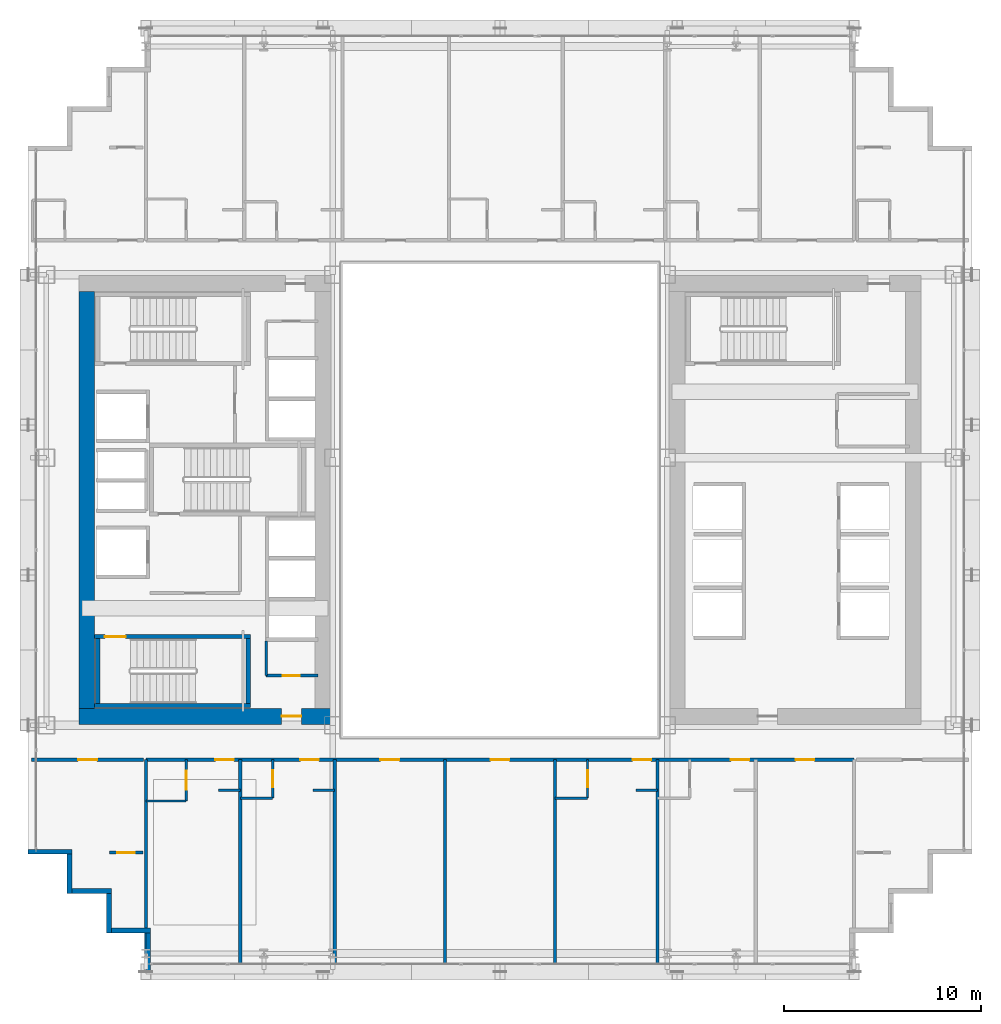
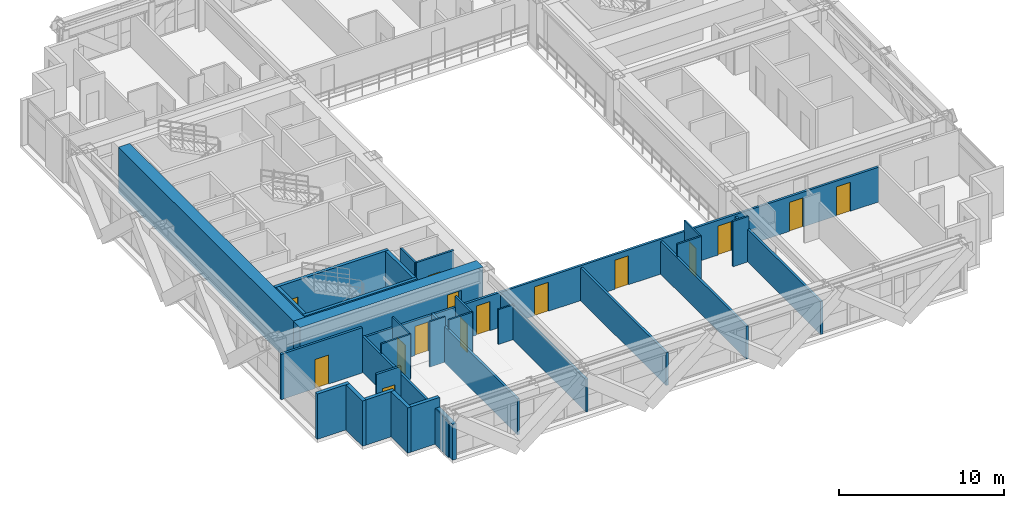
# One storey, part 30 of 38: 32 walls, 15 doors, 15 openings.
"""IFC4 building model written with IfcOpenShell, lengths in metres."""

from ifc_helpers import new_model, si_unit, direction, frame, frame_2d, origin, place, context, subcontext, project, spatial, rectangle, extrude, source, transform, mapped, material, layer, layer_set, type_object, element, fill, save


model = new_model("IFC4")

# Units and contexts
model_context = context("Model", 3, precision=1e-05, world=origin(), true_north=direction((0.0, 1.0)))
body_context = subcontext(model_context, "Body", "Model", "MODEL_VIEW")
ifc_project = project(units=[si_unit("LENGTHUNIT", "METRE"), si_unit("AREAUNIT", "SQUARE_METRE"), si_unit("VOLUMEUNIT", "CUBIC_METRE"), si_unit("PLANEANGLEUNIT", "RADIAN"), si_unit("MASSUNIT", "GRAM", prefix="KILO")], contexts=[model_context])

# Site, building, storey
site_placement = place(None, origin())
site = spatial("IfcSite", under=ifc_project, at=site_placement, CompositionType="ELEMENT")
building_placement = place(site_placement, origin())
building = spatial("IfcBuilding", under=site, at=building_placement, Name="Ocotamira Hotel", CompositionType="ELEMENT")
storey_placement = place(building_placement, frame((0.0, 0.0, 74.39990234375)))
storey = spatial("IfcBuildingStorey", under=building, at=storey_placement, Name="L18", CompositionType="ELEMENT", Elevation=74.39990234375)

# Wall, opening, door
ifc_material_1 = material(Name="Concrete C60/75", Category="concrete")
ifc_layer_1 = layer(ifc_material_1, 0.800048828125)
ifc_layer_set_1 = layer_set([ifc_layer_1], Name="Concrete C60/75")
wall_type_1 = type_object("IfcWallType", Name="WL-CORE-800", PredefinedType="SHEAR", material=ifc_layer_set_1)
wall_1_placement = place(storey_placement, frame((10.60009765625, 15.0, 0.0), z_axis=(0.0, 0.0, 1.0), x_axis=(1.0, 0.0, 0.0)))
wall_1 = element("IfcWall", 1, at=wall_1_placement, inside=storey, type_object=wall_type_1, Name="L18 Shear Core Wall WCORE-S", PredefinedType="SHEAR", context=body_context, shape_type="SweptSolid", body=[
    extrude(rectangle(XDim=12.7998046875, YDim=0.800048828125, at=frame_2d((6.39990234375, 0.0))), origin(), (0.0, 0.0, 1.0), 3.35009765625),
])
opening_1_placement = place(wall_1_placement, frame((10.300048828125, 0.0, 0.0)))
opening_1 = element("IfcOpeningElement", 2, at=opening_1_placement, cuts=wall_1, Name="Opening D-FR2", PredefinedType="OPENING", context=body_context, shape_type="SweptSolid", body=[
    extrude(rectangle(XDim=1.0, YDim=2.14990234375, at=frame_2d((0.5, 1.074951171875))), frame((0.0, 0.41015625, 0.0), z_axis=(0.0, -1.0, 0.0), x_axis=(1.0, 0.0, 0.0)), (0.0, 0.0, 1.0), 0.820068359375),
])
ifc_material_2 = material(Name="Fire-rated acoustic timber-veneer door", Category="wood")
door_type_1 = type_object("IfcDoorType", Name="DR-FIRE-1000", OperationType="NOTDEFINED", PredefinedType="DOOR", material=ifc_material_2)
shared_shape_1 = source(origin(), body_context, "Body", "SweptSolid", [
    extrude(rectangle(XDim=1.0, YDim=2.14990234375, at=frame_2d((0.5, 1.074951171875))), frame((0.0, 0.02490234375, 0.0), z_axis=(0.0, -1.0, 0.0), x_axis=(1.0, 0.0, 0.0)), (0.0, 0.0, 1.0), 0.050048828125),
])
door_1_placement = place(opening_1_placement, origin())
door_1 = element("IfcDoor", 3, at=door_1_placement, inside=storey, type_object=door_type_1, Name="L18 Door ID-L18-WLOB-S-D [ID-L18-WLOB-S-D]", OperationType="SINGLE_SWING_LEFT", OverallHeight=2.14990234375, OverallWidth=1.0, PredefinedType="DOOR", context=body_context, shape_type="MappedRepresentation", body=[
    mapped(shared_shape_1, transform((0.0, 0.0, 0.0), scale=1.0)),
])
fill(opening_1, door_1)

# Walls
wall_2_placement = place(storey_placement, frame((11.0, 15.39990234375, 0.0), z_axis=(0.0, 0.0, 1.0), x_axis=(0.0, 1.0, 0.0)))
element("IfcWall", 4, at=wall_2_placement, inside=storey, type_object=wall_type_1, Name="L18 Shear Core Wall WCORE-W", PredefinedType="SHEAR", context=body_context, shape_type="SweptSolid", body=[
    extrude(rectangle(XDim=21.2001953125, YDim=0.800048828125, at=frame_2d((10.60009765625, 0.0))), origin(), (0.0, 0.0, 1.0), 3.35009765625),
])
ifc_material_3 = material(Name="Precast concrete C45/55", Category="concrete")
ifc_layer_2 = layer(ifc_material_3, 0.25)
ifc_layer_set_2 = layer_set([ifc_layer_2], Name="Precast concrete C45/55")
wall_type_2 = type_object("IfcWallType", Name="WL-EXT-SER-250", PredefinedType="SOLIDWALL", material=ifc_layer_set_2)
wall_3_placement = place(storey_placement, frame((8.0, 8.125, 0.0), z_axis=(0.0, 0.0, 1.0), x_axis=(1.0, 0.0, 0.0)))
element("IfcWall", 5, at=wall_3_placement, inside=storey, type_object=wall_type_2, Name="L18 Serrated Corner Wall 19", PredefinedType="SOLIDWALL", context=body_context, shape_type="SweptSolid", body=[
    extrude(rectangle(XDim=2.25, YDim=0.25, at=frame_2d((1.125, 0.0))), origin(), (0.0, 0.0, 1.0), 3.35009765625),
])
for number, where, z_axis, x_axis, name in (
    (6, (10.125, 8.0, 0.0), (0.0, 0.0, 1.0), (0.0, -1.0, 0.0), "L18 Serrated Corner Wall 20"),
    (7, (10.25, 6.125, 0.0), (0.0, 0.0, 1.0), (1.0, 0.0, 0.0), "L18 Serrated Corner Wall 21"),
    (8, (12.125, 6.0, 0.0), (0.0, 0.0, 1.0), (0.0, -1.0, 0.0), "L18 Serrated Corner Wall 22"),
    (9, (12.25, 4.125, 0.0), (0.0, 0.0, 1.0), (1.0, 0.0, 0.0), "L18 Serrated Corner Wall 23"),
):
    element("IfcWall", number, at=place(storey_placement, frame(where, z_axis=z_axis, x_axis=x_axis)), inside=storey, type_object=wall_type_2, Name=name, PredefinedType="SOLIDWALL", context=body_context, shape_type="SweptSolid", body=[
        extrude(rectangle(XDim=2.0, YDim=0.25, at=frame_2d((1.0, 0.0))), origin(), (0.0, 0.0, 1.0), 3.35009765625),
    ])
wall_4_placement = place(storey_placement, frame((14.125, 4.0, 0.0), z_axis=(0.0, 0.0, 1.0), x_axis=(0.0, -1.0, 0.0)))
element("IfcWall", 10, at=wall_4_placement, inside=storey, type_object=wall_type_2, Name="L18 Serrated Corner Wall 24", PredefinedType="SOLIDWALL", context=body_context, shape_type="SweptSolid", body=[
    extrude(rectangle(XDim=2.0, YDim=0.25, at=frame_2d((1.0, 0.0))), origin(), (0.0, 0.0, 1.0), 2.656982421875),
])

# Wall, opening, door
ifc_material_4 = material(Name="Acoustic double-layer fire gypsum board partition", Category="gypsum")
ifc_layer_3 = layer(ifc_material_4, 0.159912109375)
ifc_layer_set_3 = layer_set([ifc_layer_3], Name="Acoustic double-layer fire gypsum board partition")
wall_type_3 = type_object("IfcWallType", Name="WL-FIRE-160", PredefinedType="PARTITIONING", material=ifc_layer_set_3)
wall_5_placement = place(storey_placement, frame((8.199951171875, 12.800048828125, 0.0), z_axis=(0.0, 0.0, 1.0), x_axis=(1.0, 0.0, 0.0)))
wall_5 = element("IfcWall", 11, at=wall_5_placement, inside=storey, type_object=wall_type_3, Name="L18 Interior Wall PW-L18-Z1D-CSW-CW", PredefinedType="PARTITIONING", context=body_context, shape_type="SweptSolid", body=[
    extrude(rectangle(XDim=5.679931640625, YDim=0.159912109375, at=frame_2d((2.83984375, 0.0))), origin(), (0.0, 0.0, 1.0), 3.35009765625),
])
opening_2_placement = place(wall_5_placement, frame((2.360107421875, 0.0, 0.0)))
opening_2 = element("IfcOpeningElement", 12, at=opening_2_placement, cuts=wall_5, Name="Opening D-SV4", PredefinedType="OPENING", context=body_context, shape_type="SweptSolid", body=[
    extrude(rectangle(XDim=0.9599609375, YDim=2.14990234375, at=frame_2d((0.47998046875, 1.074951171875))), frame((0.0, 0.08984375, 0.0), z_axis=(0.0, -1.0, 0.0), x_axis=(1.0, 0.0, 0.0)), (0.0, 0.0, 1.0), 0.179931640625),
])
ifc_material_5 = material(Name="Fire-rated accessible walnut salon door", Category="wood")
door_type_2 = type_object("IfcDoorType", Name="DR-SERV-960", OperationType="NOTDEFINED", PredefinedType="DOOR", material=ifc_material_5)
shared_shape_2 = source(origin(), body_context, "Body", "SweptSolid", [
    extrude(rectangle(XDim=0.9599609375, YDim=2.14990234375, at=frame_2d((0.47998046875, 1.074951171875))), frame((0.0, 0.02490234375, 0.0), z_axis=(0.0, -1.0, 0.0), x_axis=(1.0, 0.0, 0.0)), (0.0, 0.0, 1.0), 0.050048828125),
])
door_2_placement = place(opening_2_placement, origin())
door_2 = element("IfcDoor", 13, at=door_2_placement, inside=storey, type_object=door_type_2, Name="L18 Door ID-L18-Z1D-CSW-CD [ID-L18-Z1D-CSW-CD]", OperationType="SINGLE_SWING_LEFT", OverallHeight=2.14990234375, OverallWidth=0.9599609375, PredefinedType="DOOR", context=body_context, shape_type="MappedRepresentation", body=[
    mapped(shared_shape_2, transform((0.0, 0.0, 0.0), scale=1.0)),
])
fill(opening_2, door_2)

wall_6_placement = place(storey_placement, frame((12.14990234375, 8.080078125, 0.0), z_axis=(0.0, 0.0, 1.0), x_axis=(1.0, 0.0, 0.0)))
wall_6 = element("IfcWall", 14, at=wall_6_placement, inside=storey, type_object=wall_type_3, Name="L18 Interior Wall PW-L18-Z1D-CSW2-CW", PredefinedType="PARTITIONING", context=body_context, shape_type="SweptSolid", body=[
    extrude(rectangle(XDim=1.7001953125, YDim=0.159912109375, at=frame_2d((0.85009765625, 0.0))), origin(), (0.0, 0.0, 1.0), 3.35009765625),
])
opening_3_placement = place(wall_6_placement, frame((0.409912109375, 0.0, 0.0)))
opening_3 = element("IfcOpeningElement", 15, at=opening_3_placement, cuts=wall_6, Name="Opening D-SV2", PredefinedType="OPENING", context=body_context, shape_type="SweptSolid", body=[
    extrude(rectangle(XDim=0.8798828125, YDim=2.14990234375, at=frame_2d((0.43994140625, 1.074951171875))), frame((0.0, 0.08984375, 0.0), z_axis=(0.0, -1.0, 0.0), x_axis=(1.0, 0.0, 0.0)), (0.0, 0.0, 1.0), 0.179931640625),
])
ifc_material_6 = material(Name="Fire-rated painted steel service door", Category="steel")
door_type_3 = type_object("IfcDoorType", Name="DR-SERV-880", OperationType="NOTDEFINED", PredefinedType="DOOR", material=ifc_material_6)
shared_shape_3 = source(origin(), body_context, "Body", "SweptSolid", [
    extrude(rectangle(XDim=0.8798828125, YDim=2.14990234375, at=frame_2d((0.43994140625, 1.074951171875))), frame((0.0, 0.02490234375, 0.0), z_axis=(0.0, -1.0, 0.0), x_axis=(1.0, 0.0, 0.0)), (0.0, 0.0, 1.0), 0.050048828125),
])
door_3_placement = place(opening_3_placement, origin())
door_3 = element("IfcDoor", 16, at=door_3_placement, inside=storey, type_object=door_type_3, Name="L18 Door ID-L18-Z1D-CSW2-CD [ID-L18-Z1D-CSW2-CD]", OperationType="SINGLE_SWING_LEFT", OverallHeight=2.14990234375, OverallWidth=0.8798828125, PredefinedType="DOOR", context=body_context, shape_type="MappedRepresentation", body=[
    mapped(shared_shape_3, transform((0.0, 0.0, 0.0), scale=1.0)),
])
fill(opening_3, door_3)

# Wall, openings, doors
wall_7_placement = place(storey_placement, frame((14.0, 12.800048828125, 0.0), z_axis=(0.0, 0.0, 1.0), x_axis=(1.0, 0.0, 0.0)))
wall_7 = element("IfcWall", 17, at=wall_7_placement, inside=storey, type_object=wall_type_3, Name="L18 Interior Wall PW-L18-Z1DS-CORRW", PredefinedType="PARTITIONING", context=body_context, shape_type="SweptSolid", body=[
    extrude(rectangle(XDim=36.0, YDim=0.159912109375, at=frame_2d((18.0, 0.0))), origin(), (0.0, 0.0, 1.0), 2.571044921875),
])
opening_4_placement = place(wall_7_placement, frame((3.5400390625, 0.0, 0.0)))
opening_4 = element("IfcOpeningElement", 18, at=opening_4_placement, cuts=wall_7, Name="Opening D-GR1", PredefinedType="OPENING", context=body_context, shape_type="SweptSolid", body=[
    extrude(rectangle(XDim=0.93994140625, YDim=2.14990234375, at=frame_2d((0.469970703125, 1.074951171875))), frame((0.0, 0.08984375, 0.0), z_axis=(0.0, -1.0, 0.0), x_axis=(1.0, 0.0, 0.0)), (0.0, 0.0, 1.0), 0.179931640625),
])
opening_5_placement = place(wall_7_placement, frame((7.860107421875, 0.0, 0.0)))
opening_5 = element("IfcOpeningElement", 19, at=opening_5_placement, cuts=wall_7, Name="Opening D-GR1", PredefinedType="OPENING", context=body_context, shape_type="SweptSolid", body=[
    extrude(rectangle(XDim=0.93994140625, YDim=2.14990234375, at=frame_2d((0.469970703125, 1.074951171875))), frame((0.0, 0.08984375, 0.0), z_axis=(0.0, -1.0, 0.0), x_axis=(1.0, 0.0, 0.0)), (0.0, 0.0, 1.0), 0.179931640625),
])
opening_6_placement = place(wall_7_placement, frame((11.919921875, 0.0, 0.0)))
opening_6 = element("IfcOpeningElement", 20, at=opening_6_placement, cuts=wall_7, Name="Opening D-SV4", PredefinedType="OPENING", context=body_context, shape_type="SweptSolid", body=[
    extrude(rectangle(XDim=0.9599609375, YDim=2.14990234375, at=frame_2d((0.47998046875, 1.074951171875))), frame((0.0, 0.08984375, 0.0), z_axis=(0.0, -1.0, 0.0), x_axis=(1.0, 0.0, 0.0)), (0.0, 0.0, 1.0), 0.179931640625),
])
opening_7_placement = place(wall_7_placement, frame((17.52001953125, 0.0, 0.0)))
opening_7 = element("IfcOpeningElement", 21, at=opening_7_placement, cuts=wall_7, Name="Opening D-SV4", PredefinedType="OPENING", context=body_context, shape_type="SweptSolid", body=[
    extrude(rectangle(XDim=0.9599609375, YDim=2.14990234375, at=frame_2d((0.47998046875, 1.074951171875))), frame((0.0, 0.08984375, 0.0), z_axis=(0.0, -1.0, 0.0), x_axis=(1.0, 0.0, 0.0)), (0.0, 0.0, 1.0), 0.179931640625),
])
opening_8_placement = place(wall_7_placement, frame((24.739990234375, 0.0, 0.0)))
opening_8 = element("IfcOpeningElement", 22, at=opening_8_placement, cuts=wall_7, Name="Opening D-GR1", PredefinedType="OPENING", context=body_context, shape_type="SweptSolid", body=[
    extrude(rectangle(XDim=0.93994140625, YDim=2.14990234375, at=frame_2d((0.469970703125, 1.074951171875))), frame((0.0, 0.08984375, 0.0), z_axis=(0.0, -1.0, 0.0), x_axis=(1.0, 0.0, 0.0)), (0.0, 0.0, 1.0), 0.179931640625),
])
opening_9_placement = place(wall_7_placement, frame((29.739990234375, 0.0, 0.0)))
opening_9 = element("IfcOpeningElement", 23, at=opening_9_placement, cuts=wall_7, Name="Opening D-GR1", PredefinedType="OPENING", context=body_context, shape_type="SweptSolid", body=[
    extrude(rectangle(XDim=0.93994140625, YDim=2.14990234375, at=frame_2d((0.469970703125, 1.074951171875))), frame((0.0, 0.08984375, 0.0), z_axis=(0.0, -1.0, 0.0), x_axis=(1.0, 0.0, 0.0)), (0.0, 0.0, 1.0), 0.179931640625),
])
opening_10_placement = place(wall_7_placement, frame((33.02001953125, 0.0, 0.0)))
opening_10 = element("IfcOpeningElement", 24, at=opening_10_placement, cuts=wall_7, Name="Opening D-SV4", PredefinedType="OPENING", context=body_context, shape_type="SweptSolid", body=[
    extrude(rectangle(XDim=0.9599609375, YDim=2.14990234375, at=frame_2d((0.47998046875, 1.074951171875))), frame((0.0, 0.08984375, 0.0), z_axis=(0.0, -1.0, 0.0), x_axis=(1.0, 0.0, 0.0)), (0.0, 0.0, 1.0), 0.179931640625),
])
door_4_placement = place(opening_6_placement, origin())
door_4 = element("IfcDoor", 25, at=door_4_placement, inside=storey, type_object=door_type_2, Name="L18 Door ID-L18-Z1DS-AMD3 [ID-L18-Z1DS-AMD3]", OperationType="SINGLE_SWING_LEFT", OverallHeight=2.14990234375, OverallWidth=0.9599609375, PredefinedType="DOOR", context=body_context, shape_type="MappedRepresentation", body=[
    mapped(shared_shape_2, transform((0.0, 0.0, 0.0), scale=1.0)),
])
fill(opening_6, door_4)
door_5_placement = place(opening_7_placement, origin())
door_5 = element("IfcDoor", 26, at=door_5_placement, inside=storey, type_object=door_type_2, Name="L18 Door ID-L18-Z1DS-AMD4 [ID-L18-Z1DS-AMD4]", OperationType="SINGLE_SWING_RIGHT", OverallHeight=2.14990234375, OverallWidth=0.9599609375, PredefinedType="DOOR", context=body_context, shape_type="MappedRepresentation", body=[
    mapped(shared_shape_2, transform((0.0, 0.0, 0.0), scale=1.0)),
])
fill(opening_7, door_5)
door_6_placement = place(opening_10_placement, origin())
door_6 = element("IfcDoor", 27, at=door_6_placement, inside=storey, type_object=door_type_2, Name="L18 Door ID-L18-Z1DS-AMD7 [ID-L18-Z1DS-AMD7]", OperationType="SINGLE_SWING_LEFT", OverallHeight=2.14990234375, OverallWidth=0.9599609375, PredefinedType="DOOR", context=body_context, shape_type="MappedRepresentation", body=[
    mapped(shared_shape_2, transform((0.0, 0.0, 0.0), scale=1.0)),
])
fill(opening_10, door_6)
ifc_material_7 = material(Name="Solid-core walnut suite entrance fire door", Category="wood")
door_type_4 = type_object("IfcDoorType", Name="DR-GUEST-940", OperationType="NOTDEFINED", PredefinedType="DOOR", material=ifc_material_7)
shared_shape_4 = source(origin(), body_context, "Body", "SweptSolid", [
    extrude(rectangle(XDim=0.93994140625, YDim=2.14990234375, at=frame_2d((0.469970703125, 1.074951171875))), frame((0.0, 0.02490234375, 0.0), z_axis=(0.0, -1.0, 0.0), x_axis=(1.0, 0.0, 0.0)), (0.0, 0.0, 1.0), 0.050048828125),
])
door_7_placement = place(opening_4_placement, origin())
door_7 = element("IfcDoor", 28, at=door_7_placement, inside=storey, type_object=door_type_4, Name="L18 Door ID-L18-Z1DS-RMD1 [ID-L18-Z1DS-RMD1]", OperationType="SINGLE_SWING_LEFT", OverallHeight=2.14990234375, OverallWidth=0.93994140625, PredefinedType="DOOR", context=body_context, shape_type="MappedRepresentation", body=[
    mapped(shared_shape_4, transform((0.0, 0.0, 0.0), scale=1.0)),
])
fill(opening_4, door_7)
door_8_placement = place(opening_5_placement, origin())
door_8 = element("IfcDoor", 29, at=door_8_placement, inside=storey, type_object=door_type_4, Name="L18 Door ID-L18-Z1DS-RMD2 [ID-L18-Z1DS-RMD2]", OperationType="SINGLE_SWING_RIGHT", OverallHeight=2.14990234375, OverallWidth=0.93994140625, PredefinedType="DOOR", context=body_context, shape_type="MappedRepresentation", body=[
    mapped(shared_shape_4, transform((0.0, 0.0, 0.0), scale=1.0)),
])
fill(opening_5, door_8)
door_9_placement = place(opening_8_placement, origin())
door_9 = element("IfcDoor", 30, at=door_9_placement, inside=storey, type_object=door_type_4, Name="L18 Door ID-L18-Z1DS-RMD5 [ID-L18-Z1DS-RMD5]", OperationType="SINGLE_SWING_LEFT", OverallHeight=2.14990234375, OverallWidth=0.93994140625, PredefinedType="DOOR", context=body_context, shape_type="MappedRepresentation", body=[
    mapped(shared_shape_4, transform((0.0, 0.0, 0.0), scale=1.0)),
])
fill(opening_8, door_9)
door_10_placement = place(opening_9_placement, origin())
door_10 = element("IfcDoor", 31, at=door_10_placement, inside=storey, type_object=door_type_4, Name="L18 Door ID-L18-Z1DS-RMD6 [ID-L18-Z1DS-RMD6]", OperationType="SINGLE_SWING_RIGHT", OverallHeight=2.14990234375, OverallWidth=0.93994140625, PredefinedType="DOOR", context=body_context, shape_type="MappedRepresentation", body=[
    mapped(shared_shape_4, transform((0.0, 0.0, 0.0), scale=1.0)),
])
fill(opening_9, door_10)

# Wall, opening, door
ifc_material_8 = material(Name="Moisture-resistant en-suite tile and gypsum partition", Category="gypsum")
ifc_layer_4 = layer(ifc_material_8, 0.1201171875)
ifc_layer_set_4 = layer_set([ifc_layer_4], Name="Moisture-resistant en-suite tile and gypsum partition")
wall_type_4 = type_object("IfcWallType", Name="WL-PART-120", PredefinedType="PARTITIONING", material=ifc_layer_set_4)
wall_8_placement = place(storey_placement, frame((16.050048828125, 10.699951171875, 0.0), z_axis=(0.0, 0.0, 1.0), x_axis=(0.0, 1.0, 0.0)))
wall_8 = element("IfcWall", 32, at=wall_8_placement, inside=storey, type_object=wall_type_4, Name="L18 Interior Wall PW-L18-Z1DS-BAE1", PredefinedType="PARTITIONING", context=body_context, shape_type="SweptSolid", body=[
    extrude(rectangle(XDim=2.10009765625, YDim=0.1201171875, at=frame_2d((1.050048828125, 0.0))), origin(), (0.0, 0.0, 1.0), 3.35009765625),
])
opening_11_placement = place(wall_8_placement, frame((0.570068359375, 0.0, 0.0)))
opening_11 = element("IfcOpeningElement", 33, at=opening_11_placement, cuts=wall_8, Name="Opening D-IN1", PredefinedType="OPENING", context=body_context, shape_type="SweptSolid", body=[
    extrude(rectangle(XDim=0.9599609375, YDim=2.14990234375, at=frame_2d((0.47998046875, 1.074951171875))), frame((0.0, 0.070068359375, 0.0), z_axis=(0.0, -1.0, 0.0), x_axis=(1.0, 0.0, 0.0)), (0.0, 0.0, 1.0), 0.14013671875),
])
ifc_material_9 = material(Name="Accessible walnut interior room door", Category="wood")
door_type_5 = type_object("IfcDoorType", Name="DR-INT-960", OperationType="NOTDEFINED", PredefinedType="DOOR", material=ifc_material_9)
door_11_placement = place(opening_11_placement, origin())
door_11 = element("IfcDoor", 34, at=door_11_placement, inside=storey, type_object=door_type_5, Name="L18 Door ID-L18-Z1DS-BAD1 [ID-L18-Z1DS-BAD1]", OperationType="SINGLE_SWING_RIGHT", OverallHeight=2.14990234375, OverallWidth=0.9599609375, PredefinedType="DOOR", context=body_context, shape_type="MappedRepresentation", body=[
    mapped(shared_shape_2, transform((0.0, 0.0, 0.0), scale=1.0)),
])
fill(opening_11, door_11)

# Walls
wall_9_placement = place(storey_placement, frame((14.0, 10.699951171875, 0.0), z_axis=(0.0, 0.0, 1.0), x_axis=(1.0, 0.0, 0.0)))
element("IfcWall", 35, at=wall_9_placement, inside=storey, type_object=wall_type_4, Name="L18 Interior Wall PW-L18-Z1DS-BAS1", PredefinedType="PARTITIONING", context=body_context, shape_type="SweptSolid", body=[
    extrude(rectangle(XDim=2.050048828125, YDim=0.1201171875, at=frame_2d((1.02490234375, 0.0))), origin(), (0.0, 0.0, 1.0), 3.35009765625),
])
wall_10_placement = place(storey_placement, frame((17.699951171875, 11.25, 0.0), z_axis=(0.0, 0.0, 1.0), x_axis=(1.0, 0.0, 0.0)))
element("IfcWall", 36, at=wall_10_placement, inside=storey, type_object=wall_type_4, Name="L18 Interior Wall PW-L18-Z1DS-DRN1", PredefinedType="PARTITIONING", context=body_context, shape_type="SweptSolid", body=[
    extrude(rectangle(XDim=1.10009765625, YDim=0.1201171875, at=frame_2d((0.550048828125, 0.0))), origin(), (0.0, 0.0, 1.0), 3.35009765625),
])

# Wall, opening, door
wall_11_placement = place(storey_placement, frame((20.449951171875, 10.85009765625, 0.0), z_axis=(0.0, 0.0, 1.0), x_axis=(0.0, 1.0, 0.0)))
wall_11 = element("IfcWall", 37, at=wall_11_placement, inside=storey, type_object=wall_type_4, Name="L18 Interior Wall PW-L18-Z1DS-BAE2", PredefinedType="PARTITIONING", context=body_context, shape_type="SweptSolid", body=[
    extrude(rectangle(XDim=1.949951171875, YDim=0.1201171875, at=frame_2d((0.97509765625, 0.0))), origin(), (0.0, 0.0, 1.0), 3.35009765625),
])
opening_12_placement = place(wall_11_placement, frame((0.544921875, 0.0, 0.0)))
opening_12 = element("IfcOpeningElement", 38, at=opening_12_placement, cuts=wall_11, Name="Opening D-BA1", PredefinedType="OPENING", context=body_context, shape_type="SweptSolid", body=[
    extrude(rectangle(XDim=0.860107421875, YDim=2.10009765625, at=frame_2d((0.43017578125, 1.050048828125))), frame((0.0, 0.070068359375, 0.0), z_axis=(0.0, -1.0, 0.0), x_axis=(1.0, 0.0, 0.0)), (0.0, 0.0, 1.0), 0.14013671875),
])
ifc_material_10 = material(Name="Moisture-sealed en-suite timber door", Category="wood")
door_type_6 = type_object("IfcDoorType", Name="DR-BATH-860", OperationType="NOTDEFINED", PredefinedType="DOOR", material=ifc_material_10)
shared_shape_5 = source(origin(), body_context, "Body", "SweptSolid", [
    extrude(rectangle(XDim=0.860107421875, YDim=2.10009765625, at=frame_2d((0.43017578125, 1.050048828125))), frame((0.0, 0.02490234375, 0.0), z_axis=(0.0, -1.0, 0.0), x_axis=(1.0, 0.0, 0.0)), (0.0, 0.0, 1.0), 0.050048828125),
])
door_12_placement = place(opening_12_placement, origin())
door_12 = element("IfcDoor", 39, at=door_12_placement, inside=storey, type_object=door_type_6, Name="L18 Door ID-L18-Z1DS-BAD2 [ID-L18-Z1DS-BAD2]", OperationType="SINGLE_SWING_LEFT", OverallHeight=2.10009765625, OverallWidth=0.860107421875, PredefinedType="DOOR", context=body_context, shape_type="MappedRepresentation", body=[
    mapped(shared_shape_5, transform((0.0, 0.0, 0.0), scale=1.0)),
])
fill(opening_12, door_12)

# Walls
wall_12_placement = place(storey_placement, frame((18.800048828125, 10.85009765625, 0.0), z_axis=(0.0, 0.0, 1.0), x_axis=(1.0, 0.0, 0.0)))
element("IfcWall", 40, at=wall_12_placement, inside=storey, type_object=wall_type_4, Name="L18 Interior Wall PW-L18-Z1DS-BAS2", PredefinedType="PARTITIONING", context=body_context, shape_type="SweptSolid", body=[
    extrude(rectangle(XDim=1.64990234375, YDim=0.1201171875, at=frame_2d((0.824951171875, 0.0))), origin(), (0.0, 0.0, 1.0), 3.35009765625),
])
wall_13_placement = place(storey_placement, frame((22.5, 11.25, 0.0), z_axis=(0.0, 0.0, 1.0), x_axis=(1.0, 0.0, 0.0)))
element("IfcWall", 41, at=wall_13_placement, inside=storey, type_object=wall_type_4, Name="L18 Interior Wall PW-L18-Z1DS-DRN2", PredefinedType="PARTITIONING", context=body_context, shape_type="SweptSolid", body=[
    extrude(rectangle(XDim=1.10009765625, YDim=0.1201171875, at=frame_2d((0.550048828125, 0.0))), origin(), (0.0, 0.0, 1.0), 2.571044921875),
])

# Wall, opening, door
wall_14_placement = place(storey_placement, frame((36.449951171875, 10.85009765625, 0.0), z_axis=(0.0, 0.0, 1.0), x_axis=(0.0, 1.0, 0.0)))
wall_14 = element("IfcWall", 42, at=wall_14_placement, inside=storey, type_object=wall_type_4, Name="L18 Interior Wall PW-L18-Z1DS-BAE5", PredefinedType="PARTITIONING", context=body_context, shape_type="SweptSolid", body=[
    extrude(rectangle(XDim=1.949951171875, YDim=0.1201171875, at=frame_2d((0.97509765625, 0.0))), origin(), (0.0, 0.0, 1.0), 3.35009765625),
])
opening_13_placement = place(wall_14_placement, frame((0.544921875, 0.0, 0.0)))
opening_13 = element("IfcOpeningElement", 43, at=opening_13_placement, cuts=wall_14, Name="Opening D-BA1", PredefinedType="OPENING", context=body_context, shape_type="SweptSolid", body=[
    extrude(rectangle(XDim=0.860107421875, YDim=2.10009765625, at=frame_2d((0.43017578125, 1.050048828125))), frame((0.0, 0.070068359375, 0.0), z_axis=(0.0, -1.0, 0.0), x_axis=(1.0, 0.0, 0.0)), (0.0, 0.0, 1.0), 0.14013671875),
])
door_13_placement = place(opening_13_placement, origin())
door_13 = element("IfcDoor", 44, at=door_13_placement, inside=storey, type_object=door_type_6, Name="L18 Door ID-L18-Z1DS-BAD5 [ID-L18-Z1DS-BAD5]", OperationType="SINGLE_SWING_RIGHT", OverallHeight=2.10009765625, OverallWidth=0.860107421875, PredefinedType="DOOR", context=body_context, shape_type="MappedRepresentation", body=[
    mapped(shared_shape_5, transform((0.0, 0.0, 0.0), scale=1.0)),
])
fill(opening_13, door_13)

# Walls
wall_15_placement = place(storey_placement, frame((34.800048828125, 10.85009765625, 0.0), z_axis=(0.0, 0.0, 1.0), x_axis=(1.0, 0.0, 0.0)))
element("IfcWall", 45, at=wall_15_placement, inside=storey, type_object=wall_type_4, Name="L18 Interior Wall PW-L18-Z1DS-BAS5", PredefinedType="PARTITIONING", context=body_context, shape_type="SweptSolid", body=[
    extrude(rectangle(XDim=1.64990234375, YDim=0.1201171875, at=frame_2d((0.824951171875, 0.0))), origin(), (0.0, 0.0, 1.0), 3.35009765625),
])
wall_16_placement = place(storey_placement, frame((38.89990234375, 11.25, 0.0), z_axis=(0.0, 0.0, 1.0), x_axis=(1.0, 0.0, 0.0)))
element("IfcWall", 46, at=wall_16_placement, inside=storey, type_object=wall_type_4, Name="L18 Interior Wall PW-L18-Z1DS-DRN5", PredefinedType="PARTITIONING", context=body_context, shape_type="SweptSolid", body=[
    extrude(rectangle(XDim=1.10009765625, YDim=0.1201171875, at=frame_2d((0.550048828125, 0.0))), origin(), (0.0, 0.0, 1.0), 3.35009765625),
])
ifc_material_11 = material(Name="Acoustic hospitality gypsum board partition", Category="gypsum")
ifc_layer_5 = layer(ifc_material_11, 0.14208984375)
ifc_layer_set_5 = layer_set([ifc_layer_5], Name="Acoustic hospitality gypsum board partition")
wall_type_5 = type_object("IfcWallType", Name="WL-PART-142", PredefinedType="PARTITIONING", material=ifc_layer_set_5)
wall_17_placement = place(storey_placement, frame((20.1201171875, 17.080078125, 0.0), z_axis=(0.0, 0.0, 1.0), x_axis=(0.0, 1.0, 0.0)))
element("IfcWall", 47, at=wall_17_placement, inside=storey, type_object=wall_type_5, Name="L18 Interior Wall PW-L18-WC-SE-W2", PredefinedType="PARTITIONING", context=body_context, shape_type="SweptSolid", body=[
    extrude(rectangle(XDim=1.760009765625, YDim=0.14208984375, at=frame_2d((0.8798828125, 0.0))), origin(), (0.0, 0.0, 1.0), 3.35009765625),
])

# Wall, opening, door
wall_18_placement = place(storey_placement, frame((20.1201171875, 17.080078125, 0.0), z_axis=(0.0, 0.0, 1.0), x_axis=(1.0, 0.0, 0.0)))
wall_18 = element("IfcWall", 48, at=wall_18_placement, inside=storey, type_object=wall_type_5, Name="L18 Interior Wall PW-L18-WC-SE-S2", PredefinedType="PARTITIONING", context=body_context, shape_type="SweptSolid", body=[
    extrude(rectangle(XDim=2.6298828125, YDim=0.14208984375, at=frame_2d((1.31494140625, 0.0))), origin(), (0.0, 0.0, 1.0), 3.35009765625),
])
opening_14_placement = place(wall_18_placement, frame((0.85009765625, 0.0, 0.0)))
opening_14 = element("IfcOpeningElement", 49, at=opening_14_placement, cuts=wall_18, Name="Opening D-SV1", PredefinedType="OPENING", context=body_context, shape_type="SweptSolid", body=[
    extrude(rectangle(XDim=0.840087890625, YDim=2.10009765625, at=frame_2d((0.419921875, 1.050048828125))), frame((0.0, 0.0810546875, 0.0), z_axis=(0.0, -1.0, 0.0), x_axis=(1.0, 0.0, 0.0)), (0.0, 0.0, 1.0), 0.162109375),
])
door_type_7 = type_object("IfcDoorType", Name="DR-SERV-840", OperationType="NOTDEFINED", PredefinedType="DOOR", material=ifc_material_6)
shared_shape_6 = source(origin(), body_context, "Body", "SweptSolid", [
    extrude(rectangle(XDim=0.840087890625, YDim=2.10009765625, at=frame_2d((0.419921875, 1.050048828125))), frame((0.0, 0.02490234375, 0.0), z_axis=(0.0, -1.0, 0.0), x_axis=(1.0, 0.0, 0.0)), (0.0, 0.0, 1.0), 0.050048828125),
])
door_14_placement = place(opening_14_placement, origin())
door_14 = element("IfcDoor", 50, at=door_14_placement, inside=storey, type_object=door_type_7, Name="L18 Door ID-L18-WC-SE-D2 [ID-L18-WC-SE-D2]", OperationType="SINGLE_SWING_LEFT", OverallHeight=2.10009765625, OverallWidth=0.840087890625, PredefinedType="DOOR", context=body_context, shape_type="MappedRepresentation", body=[
    mapped(shared_shape_6, transform((0.0, 0.0, 0.0), scale=1.0)),
])
fill(opening_14, door_14)

# Walls
ifc_material_12 = material(Name="Acoustic double-stud hospitality gypsum partition", Category="gypsum")
ifc_layer_6 = layer(ifc_material_12, 0.159912109375)
ifc_layer_set_6 = layer_set([ifc_layer_6], Name="Acoustic double-stud hospitality gypsum partition")
wall_type_6 = type_object("IfcWallType", Name="WL-PART-160", PredefinedType="PARTITIONING", material=ifc_layer_set_6)
for number, where, z_axis, x_axis, name in (
    (51, (14.0, 2.360107421875, 0.0), (0.0, 0.0, 1.0), (0.0, 1.0, 0.0), "L18 Interior Wall PW-L18-Z1DS-PW0"),
    (52, (18.800048828125, 2.360107421875, 0.0), (0.0, 0.0, 1.0), (0.0, 1.0, 0.0), "L18 Interior Wall PW-L18-Z1DS-PW1"),
):
    element("IfcWall", number, at=place(storey_placement, frame(where, z_axis=z_axis, x_axis=x_axis)), inside=storey, type_object=wall_type_6, Name=name, PredefinedType="PARTITIONING", context=body_context, shape_type="SweptSolid", body=[
        extrude(rectangle(XDim=10.43994140625, YDim=0.159912109375, at=frame_2d((5.219970703125, 0.0))), origin(), (0.0, 0.0, 1.0), 2.656982421875),
    ])
for number, where, z_axis, x_axis, name in (
    (53, (23.60009765625, 2.360107421875, 0.0), (0.0, 0.0, 1.0), (0.0, 1.0, 0.0), "L18 Interior Wall PW-L18-Z1DS-PW2"),
    (54, (29.199951171875, 2.360107421875, 0.0), (0.0, 0.0, 1.0), (0.0, 1.0, 0.0), "L18 Interior Wall PW-L18-Z1DS-PW3"),
    (55, (34.800048828125, 2.360107421875, 0.0), (0.0, 0.0, 1.0), (0.0, 1.0, 0.0), "L18 Interior Wall PW-L18-Z1DS-PW4"),
    (56, (40.0, 2.360107421875, 0.0), (0.0, 0.0, 1.0), (0.0, 1.0, 0.0), "L18 Interior Wall PW-L18-Z1DS-PW5"),
):
    element("IfcWall", number, at=place(storey_placement, frame(where, z_axis=z_axis, x_axis=x_axis)), inside=storey, type_object=wall_type_6, Name=name, PredefinedType="PARTITIONING", context=body_context, shape_type="SweptSolid", body=[
        extrude(rectangle(XDim=10.43994140625, YDim=0.159912109375, at=frame_2d((5.219970703125, 0.0))), origin(), (0.0, 0.0, 1.0), 2.423095703125),
    ])
ifc_material_13 = material(Name="Concrete C50/60", Category="concrete")
ifc_layer_7 = layer(ifc_material_13, 0.219970703125)
ifc_layer_set_7 = layer_set([ifc_layer_7], Name="Concrete C50/60")
wall_type_7 = type_object("IfcWallType", Name="WL-STAIR-220", PredefinedType="SHEAR", material=ifc_layer_set_7)
wall_19_placement = place(storey_placement, frame((11.39990234375, 15.56005859375, 0.0), z_axis=(0.0, 0.0, 1.0), x_axis=(1.0, 0.0, 0.0)))
element("IfcWall", 57, at=wall_19_placement, inside=storey, type_object=wall_type_7, Name="L18 Stair Shaft Structural Wall ST-1-S", PredefinedType="SHEAR", context=body_context, shape_type="SweptSolid", body=[
    extrude(rectangle(XDim=7.91015625, YDim=0.219970703125, at=frame_2d((3.955078125, 0.0))), origin(), (0.0, 0.0, 1.0), 3.400146484375),
])

# Wall, opening, door
wall_20_placement = place(storey_placement, frame((11.39990234375, 19.06005859375, 0.0), z_axis=(0.0, 0.0, 1.0), x_axis=(1.0, 0.0, 0.0)))
wall_20 = element("IfcWall", 58, at=wall_20_placement, inside=storey, type_object=wall_type_7, Name="L18 Stair Shaft Structural Wall ST-1-N", PredefinedType="SHEAR", context=body_context, shape_type="SweptSolid", body=[
    extrude(rectangle(XDim=7.91015625, YDim=0.219970703125, at=frame_2d((3.955078125, 0.0))), origin(), (0.0, 0.0, 1.0), 3.400146484375),
])
opening_15_placement = place(wall_20_placement, frame((0.52001953125, 0.0, 0.0)))
opening_15 = element("IfcOpeningElement", 59, at=opening_15_placement, cuts=wall_20, Name="Opening D-ST2", PredefinedType="OPENING", context=body_context, shape_type="SweptSolid", body=[
    extrude(rectangle(XDim=1.050048828125, YDim=2.14990234375, at=frame_2d((0.52490234375, 1.074951171875))), frame((0.0, 0.1201171875, 0.0), z_axis=(0.0, -1.0, 0.0), x_axis=(1.0, 0.0, 0.0)), (0.0, 0.0, 1.0), 0.239990234375),
])
ifc_material_14 = material(Name="Insulated painted hollow-metal fire exit door", Category="steel")
door_type_8 = type_object("IfcDoorType", Name="DR-STAIR-1050", OperationType="NOTDEFINED", PredefinedType="DOOR", material=ifc_material_14)
shared_shape_7 = source(origin(), body_context, "Body", "SweptSolid", [
    extrude(rectangle(XDim=1.050048828125, YDim=2.14990234375, at=frame_2d((0.52490234375, 1.074951171875))), frame((0.0, 0.02490234375, 0.0), z_axis=(0.0, -1.0, 0.0), x_axis=(1.0, 0.0, 0.0)), (0.0, 0.0, 1.0), 0.050048828125),
])
door_15_placement = place(opening_15_placement, origin())
door_15 = element("IfcDoor", 60, at=door_15_placement, inside=storey, type_object=door_type_8, Name="L18 Door ID-L18-STD-ST-1 [ID-L18-STD-ST-1]", OperationType="SINGLE_SWING_LEFT", OverallHeight=2.14990234375, OverallWidth=1.050048828125, PredefinedType="DOOR", context=body_context, shape_type="MappedRepresentation", body=[
    mapped(shared_shape_7, transform((0.0, 0.0, 0.0), scale=1.0)),
])
fill(opening_15, door_15)

# Walls
for number, where, z_axis, x_axis, name in (
    (61, (11.56005859375, 15.669921875, 0.0), (0.0, 0.0, 1.0), (0.0, 1.0, 0.0), "L18 Stair Shaft Structural Wall ST-1-W"),
    (62, (19.199951171875, 15.669921875, 0.0), (0.0, 0.0, 1.0), (0.0, 1.0, 0.0), "L18 Stair Shaft Structural Wall ST-1-E"),
):
    element("IfcWall", number, at=place(storey_placement, frame(where, z_axis=z_axis, x_axis=x_axis)), inside=storey, type_object=wall_type_7, Name=name, PredefinedType="SHEAR", context=body_context, shape_type="SweptSolid", body=[
        extrude(rectangle(XDim=3.280029296875, YDim=0.219970703125, at=frame_2d((1.64013671875, 0.0))), origin(), (0.0, 0.0, 1.0), 3.400146484375),
    ])

save(model, "model.ifc")
